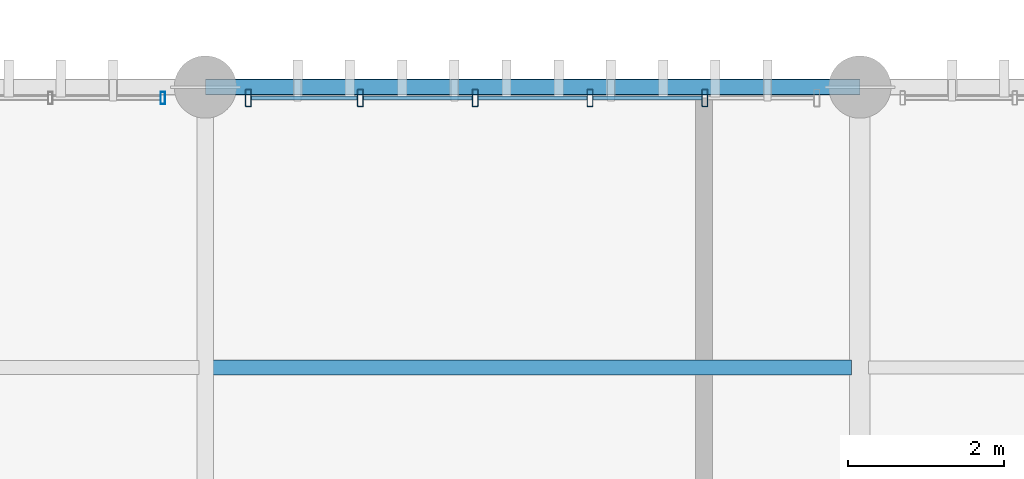
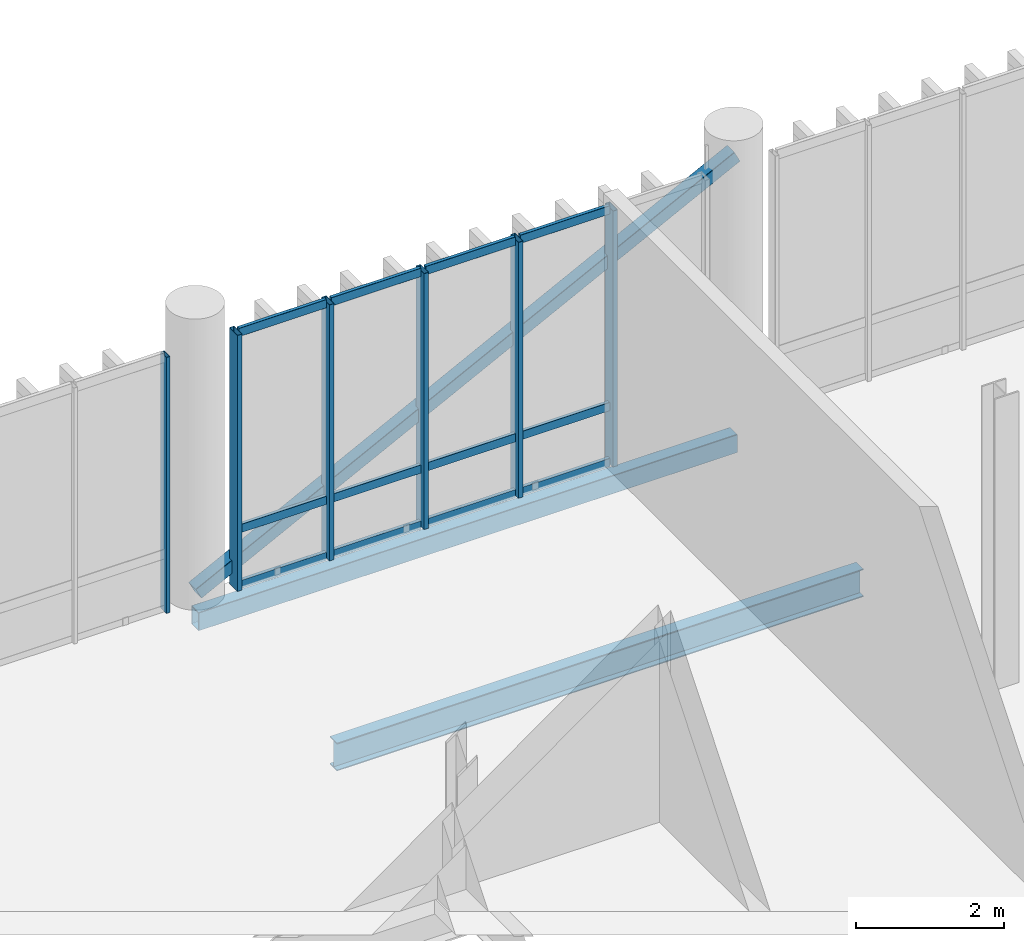
# One storey, part 35 of 94: 19 members, 2 beams, 2 elements without a shape of their own.
"""IFC4 building model written with IfcOpenShell, lengths in metres."""

import ifcopenshell
import ifcopenshell.guid

model = None  # the IFC model being written
_history = None  # IfcOwnerHistory: only IFC2X3 demands one
_inside = {}  # id of a spatial element -> (the spatial element, [elements in it])
_under = {}  # id of a project, library or spatial element -> (it, [spatial elements below it])
_declared = {}  # id of a project -> (the project, [libraries it declares])
_typed = {}  # id of a type object -> (the type object, [elements of that type])
_made_of = {}  # id of a material, layer set ... -> (it, [elements and type objects made of it])


def new_model(schema):
    """Start an empty IFC model of exactly this schema.

    Asked for "IFC4X3", IfcOpenShell would pick the latest addendum, in which some entities
    have other attributes; the version numbers below select the first issue.
    IFC2X3 requires an IfcOwnerHistory on every rooted entity: one is made here for all.
    """
    global model, _history
    if schema == "IFC4X3":
        model = ifcopenshell.file(schema_version=(4, 3, 0, 0))
    else:
        model = ifcopenshell.file(schema=schema)
    _inside.clear()
    _under.clear()
    _declared.clear()
    _typed.clear()
    _made_of.clear()
    _history = None
    if model.schema == "IFC2X3":
        org = make("IfcOrganization", Name="unknown")
        user = make(
            "IfcPersonAndOrganization",
            ThePerson=make("IfcPerson", FamilyName="unknown"),
            TheOrganization=org,
        )
        app = make(
            "IfcApplication",
            ApplicationDeveloper=org,
            Version="unknown",
            ApplicationFullName="unknown",
            ApplicationIdentifier="unknown",
        )
        _history = make(
            "IfcOwnerHistory",
            OwningUser=user,
            OwningApplication=app,
            ChangeAction="ADDED",
            CreationDate=0,
        )
    return model


def make(cls, **values):
    """One entity of the class cls with the attributes given. An attribute that is None is left unset."""
    return model.create_entity(
        cls, **{name: value for name, value in values.items() if value is not None}
    )


def rooted(cls, **values):
    """An entity with a GlobalId (a new one), such as an element, a storey or a relation."""
    return make(cls, GlobalId=ifcopenshell.guid.new(), OwnerHistory=_history, **values)


def si_unit(unit_type, name, prefix=None):
    """IfcSIUnit, for example si_unit("LENGTHUNIT", "METRE", prefix="MILLI")."""
    return make("IfcSIUnit", UnitType=unit_type, Prefix=prefix, Name=name)


def assignment(units):
    """IfcUnitAssignment: the units of a project."""
    return None if units is None else make("IfcUnitAssignment", Units=units)


def point(xyz):
    """IfcCartesianPoint."""
    return None if xyz is None else make("IfcCartesianPoint", Coordinates=xyz)


def direction(xyz):
    """IfcDirection."""
    return None if xyz is None else make("IfcDirection", DirectionRatios=xyz)


def frame(location, z_axis=None, x_axis=None):
    """IfcAxis2Placement3D, a coordinate frame: its origin and axes. An axis left out is left unset."""
    return make(
        "IfcAxis2Placement3D",
        Location=point(location),
        Axis=direction(z_axis),
        RefDirection=direction(x_axis),
    )


def frame_2d(location, x_axis=None):
    """IfcAxis2Placement2D, a coordinate frame in the plane: its origin and x axis."""
    return make(
        "IfcAxis2Placement2D", Location=point(location), RefDirection=direction(x_axis)
    )


def origin_with_axes():
    """The frame at (0, 0, 0) with the z axis (0, 0, 1) and the x axis (1, 0, 0) written out."""
    return frame((0.0, 0.0, 0.0), z_axis=(0.0, 0.0, 1.0), x_axis=(1.0, 0.0, 0.0))


def origin_2d_with_axis():
    """The frame at (0, 0) in the plane with the x axis (1, 0) written out."""
    return frame_2d((0.0, 0.0), x_axis=(1.0, 0.0))


def place(relative_to, where):
    """IfcLocalPlacement: puts the frame where relative to a parent placement (None: the world)."""
    return make(
        "IfcLocalPlacement", PlacementRelTo=relative_to, RelativePlacement=where
    )


def context(
    kind, dimensions, precision=None, world=None, true_north=None, identifier=None
):
    """IfcGeometricRepresentationContext, for example the 3D "Model" context."""
    return make(
        "IfcGeometricRepresentationContext",
        ContextIdentifier=identifier,
        ContextType=kind,
        CoordinateSpaceDimension=dimensions,
        Precision=precision,
        WorldCoordinateSystem=world,
        TrueNorth=true_north,
    )


def subcontext(parent, identifier, kind, view, scale=None):
    """IfcGeometricRepresentationSubContext, for example "Body" below "Model"."""
    return make(
        "IfcGeometricRepresentationSubContext",
        ContextIdentifier=identifier,
        ContextType=kind,
        ParentContext=parent,
        TargetScale=scale,
        TargetView=view,
    )


def project(units=None, contexts=None):
    """IfcProject with its units and contexts."""
    return rooted(
        "IfcProject",
        Name="project",
        RepresentationContexts=contexts,
        UnitsInContext=assignment(units),
    )


def spatial(cls, under=None, at=None, **own):
    """A site, building, storey or space (cls), placed at a placement, below another one or the project."""
    s = rooted(cls, ObjectPlacement=at, **own)
    if under is not None:
        _under.setdefault(under.id(), (under, []))[1].append(s)
    return s


def profile(cls, at=None, kind="AREA", **sizes):
    """A parametric profile (cls). Its sizes go by their IFC names, for example OverallWidth=200.0."""
    return make(cls, ProfileType=kind, Position=at, **sizes)


def hollow_rectangle(**sizes):
    """IfcRectangleHollowProfileDef."""
    return profile("IfcRectangleHollowProfileDef", **sizes)


def i_section(**sizes):
    """IfcIShapeProfileDef."""
    return profile("IfcIShapeProfileDef", **sizes)


def extrude(swept, where, along, depth):
    """IfcExtrudedAreaSolid: the profile swept, set in the frame where, extruded along a direction by depth."""
    return make(
        "IfcExtrudedAreaSolid",
        SweptArea=swept,
        Position=where,
        ExtrudedDirection=direction(along),
        Depth=depth,
    )


def shape(context_of_items, identifier, shape_type, items):
    """IfcShapeRepresentation: the items that make up one representation, for example the "Body"."""
    return make(
        "IfcShapeRepresentation",
        ContextOfItems=context_of_items,
        RepresentationIdentifier=identifier,
        RepresentationType=shape_type,
        Items=items,
    )


def material(Name=None, Category=None):
    """IfcMaterial."""
    return make("IfcMaterial", Name=Name, Category=Category)


def material_profile(
    of_material, cross_section, Name=None, Category=None, Priority=None
):
    """IfcMaterialProfile: a cross section and its material."""
    return make(
        "IfcMaterialProfile",
        Name=Name,
        Material=of_material,
        Profile=cross_section,
        Priority=Priority,
        Category=Category,
    )


def profile_set(profiles, Name=None, composite=None):
    """IfcMaterialProfileSet."""
    return make(
        "IfcMaterialProfileSet",
        Name=Name,
        MaterialProfiles=profiles,
        CompositeProfile=composite,
    )


def made_of(thing, what):
    """Note that an element or type object is made of a material, layer set ...; save() writes the relation."""
    if what is not None:
        _made_of.setdefault(what.id(), (what, []))[1].append(thing)
    return thing


def type_object(cls, material=None, **own):
    """A type object (cls), such as IfcWallType, which elements share."""
    return made_of(rooted(cls, **own), material)


def element(
    cls,
    number,
    at=None,
    inside=None,
    cuts=None,
    type_object=None,
    material=None,
    context=None,
    identifier="Body",
    shape_type=None,
    held_by="IfcProductDefinitionShape",
    body=None,
    shapes=None,
    **own,
):
    """One element of the class cls, such as IfcWall. Its Tag is "e" and its number.

    at: its placement. inside: the storey or other place that contains it. cuts: it is an
    opening in that element (IfcRelVoidsElement). A single representation is given by context,
    identifier, shape_type and body (its items); several are given by shapes. held_by: the class
    of the entity that holds the representations. save() writes the other relations.
    """
    e = rooted(cls, Tag="e%d" % number, ObjectPlacement=at, **own)
    if body is not None:
        shapes = [shape(context, identifier, shape_type, body)]
    if shapes is not None:
        e.Representation = make(held_by, Representations=shapes)
    if inside is not None:
        _inside.setdefault(inside.id(), (inside, []))[1].append(e)
    if cuts is not None:
        rooted(
            "IfcRelVoidsElement", RelatingBuildingElement=cuts, RelatedOpeningElement=e
        )
    if type_object is not None:
        _typed.setdefault(type_object.id(), (type_object, []))[1].append(e)
    return made_of(e, material)


def aggregate(whole, parts):
    """IfcRelAggregates: a whole, such as a stair, and the parts it consists of."""
    return rooted("IfcRelAggregates", RelatingObject=whole, RelatedObjects=parts)


def save(model, path):
    """Write the relations noted so far, then the file.

    IfcRelAggregates (storeys below a building ...), IfcRelContainedInSpatialStructure (elements
    in a storey), IfcRelDefinesByType, IfcRelAssociatesMaterial and IfcRelDeclares: one each for
    every whole, place, type object, material and project.
    """
    for whole, parts in _under.values():
        aggregate(whole, parts)
    for where, things in _inside.values():
        rooted(
            "IfcRelContainedInSpatialStructure",
            RelatedElements=things,
            RelatingStructure=where,
        )
    for kind, things in _typed.values():
        rooted("IfcRelDefinesByType", RelatedObjects=things, RelatingType=kind)
    for what, things in _made_of.values():
        rooted("IfcRelAssociatesMaterial", RelatedObjects=things, RelatingMaterial=what)
    for by, libraries in _declared.values():
        rooted("IfcRelDeclares", RelatingContext=by, RelatedDefinitions=libraries)
    model.write(path)


model = new_model("IFC4")

# Units and contexts
model_context = context("Model", 3, precision=1e-05, world=origin_with_axes(), true_north=direction((0.0, 1.0)))
body_context = subcontext(model_context, "Body", "Model", "MODEL_VIEW")
ifc_project = project(units=[si_unit("LENGTHUNIT", "METRE"), si_unit("AREAUNIT", "SQUARE_METRE"), si_unit("VOLUMEUNIT", "CUBIC_METRE"), si_unit("PLANEANGLEUNIT", "RADIAN"), si_unit("MASSUNIT", "GRAM", prefix="KILO"), si_unit("THERMODYNAMICTEMPERATUREUNIT", "KELVIN")], contexts=[model_context])

# Site, building, storey
site_placement = place(None, origin_with_axes())
site = spatial("IfcSite", under=ifc_project, at=site_placement, CompositionType="ELEMENT")
building_placement = place(site_placement, origin_with_axes())
building = spatial("IfcBuilding", under=site, at=building_placement, Name="Montbau Bow Law Courts", CompositionType="ELEMENT")
storey_placement = place(building_placement, frame((0.0, 0.0, 15.6), z_axis=(0.0, 0.0, 1.0), x_axis=(1.0, 0.0, 0.0)))
storey = spatial("IfcBuildingStorey", under=building, at=storey_placement, Name="L03", CompositionType="ELEMENT", Elevation=15.6)

# Beams
ifc_material_1 = material(Name="Steel CSA G40.21 Grade 350W (350 MPa)", Category="steel")
ifc_material_profile_1 = material_profile(ifc_material_1, i_section(OverallWidth=0.191, OverallDepth=0.46, WebThickness=0.0099, FlangeThickness=0.016, at=origin_2d_with_axis()), Name="W460X82", Category="Main", Priority=0)
ifc_profile_set_1 = profile_set([ifc_material_profile_1], Name="Steel CSA G40.21 Grade 350W (350 MPa)")
beam_type_1 = type_object("IfcBeamType", Name="B-JST-01", PredefinedType="JOIST", material=ifc_profile_set_1)
beam_1_placement = place(None, frame((63.681, 58.2, 15.11), z_axis=(1.0, 0.0, 0.0), x_axis=(0.0, 1.0, 0.0)))
element("IfcBeam", 1, at=beam_1_placement, inside=storey, type_object=beam_type_1, Name="JST-L03-S0464:jst2_0464", PredefinedType="JOIST", context=body_context, shape_type="SweptSolid", body=[
    extrude(i_section(OverallWidth=0.191, OverallDepth=0.46, WebThickness=0.0099, FlangeThickness=0.016, at=origin_2d_with_axis()), origin_with_axes(), (0.0, 0.0, 1.0), 8.21),
])
ifc_material_2 = material(Name="Steel CSA G40.21 Grade 350WT (350 MPa)", Category="steel")
ifc_material_profile_2 = material_profile(ifc_material_2, hollow_rectangle(XDim=0.203, YDim=0.305, WallThickness=0.0127, InnerFilletRadius=0.0254, OuterFilletRadius=0.0127, at=origin_2d_with_axis()), Name="HSS305X203X13", Category="Main", Priority=0)
ifc_profile_set_2 = profile_set([ifc_material_profile_2], Name="Steel CSA G40.21 Grade 350WT (350 MPa)")
beam_type_2 = type_object("IfcBeamType", Name="B-SPN-02", PredefinedType="SPANDREL", material=ifc_profile_set_2)
beam_2_placement = place(None, frame((63.6, 61.8, 15.188), z_axis=(1.0, 0.0, 0.0), x_axis=(0.0, 1.0, 0.0)))
element("IfcBeam", 2, at=beam_2_placement, inside=storey, type_object=beam_type_2, Name="SPN-L03-S0894:bm2_0897", PredefinedType="SPANDREL", context=body_context, shape_type="SweptSolid", body=[
    extrude(hollow_rectangle(XDim=0.203, YDim=0.305, WallThickness=0.0127, InnerFilletRadius=0.0254, OuterFilletRadius=0.0127, at=origin_2d_with_axis()), origin_with_axes(), (0.0, 0.0, 1.0), 8.4),
])

# Member
ifc_material_profile_3 = material_profile(ifc_material_1, hollow_rectangle(XDim=0.203, YDim=0.203, WallThickness=0.0111, InnerFilletRadius=0.0222, OuterFilletRadius=0.0111, at=origin_2d_with_axis()), Name="HSS203X203X11", Category="Main", Priority=0)
ifc_profile_set_3 = profile_set([ifc_material_profile_3], Name="Steel CSA G40.21 Grade 350W (350 MPa)")
member_type_1 = type_object("IfcMemberType", Name="M-BRC-02", PredefinedType="BRACE", material=ifc_profile_set_3)
member_1_placement = place(None, frame((63.6, 61.8, 15.65), z_axis=(0.891564583, 0.0, 0.45289358), x_axis=(0.0, 1.0, 0.0)))
element("IfcMember", 3, at=member_1_placement, inside=storey, type_object=member_type_1, Name="Diagonal brace CBF-L03-057A", PredefinedType="BRACE", context=body_context, shape_type="SweptSolid", body=[
    extrude(hollow_rectangle(XDim=0.203, YDim=0.203, WallThickness=0.0111, InnerFilletRadius=0.0222, OuterFilletRadius=0.0111, at=origin_2d_with_axis()), origin_with_axes(), (0.0, 0.0, 1.0), 9.421639),
])

# Curtain wall, members
ifc_material_3 = material(Name="Thermally Broken Extruded Aluminium AA 6063-T6", Category="aluminium")
curtain_wall_type = type_object("IfcCurtainWallType", Name="CW-CRM-01", PredefinedType="NOTDEFINED", material=ifc_material_3)
curtain_wall_1_placement = place(None, frame((64.115, 61.66, 15.6), z_axis=(0.0, 0.0, 1.0), x_axis=(1.0, 0.0, 0.0)))
curtain_wall_1 = element("IfcCurtainWall", 4, at=curtain_wall_1_placement, inside=storey, type_object=curtain_wall_type, Name="CW-L03-183:cw_0183", PredefinedType="NOTDEFINED")
ifc_material_profile_4 = material_profile(ifc_material_3, hollow_rectangle(XDim=0.075, YDim=0.22, WallThickness=0.005, InnerFilletRadius=0.01, OuterFilletRadius=0.005, at=origin_2d_with_axis()), Name="CWM-220X75", Category="Main", Priority=0)
ifc_profile_set_4 = profile_set([ifc_material_profile_4], Name="Thermally Broken Extruded Aluminium AA 6063-T6")
member_type_2 = type_object("IfcMemberType", Name="M-MUL-01", PredefinedType="MULLION", material=ifc_profile_set_4)
member_2_placement = place(None, frame((64.152, 61.66, 15.6), z_axis=(0.0, 0.0, 1.0), x_axis=(1.0, 0.0, 0.0)))
member_2 = element("IfcMember", 5, at=member_2_placement, type_object=member_type_2, Name="CW-L03-183-M01:cw_0183_M01", PredefinedType="MULLION", context=body_context, shape_type="SweptSolid", body=[
    extrude(hollow_rectangle(XDim=0.075, YDim=0.22, WallThickness=0.005, InnerFilletRadius=0.01, OuterFilletRadius=0.005, at=origin_2d_with_axis()), origin_with_axes(), (0.0, 0.0, 1.0), 4.22),
])
member_3_placement = place(None, frame((65.589, 61.66, 15.6), z_axis=(0.0, 0.0, 1.0), x_axis=(1.0, 0.0, 0.0)))
member_3 = element("IfcMember", 6, at=member_3_placement, type_object=member_type_2, Name="CW-L03-183-M02:cw_0183_M02", PredefinedType="MULLION", context=body_context, shape_type="SweptSolid", body=[
    extrude(hollow_rectangle(XDim=0.075, YDim=0.22, WallThickness=0.005, InnerFilletRadius=0.01, OuterFilletRadius=0.005, at=origin_2d_with_axis()), origin_with_axes(), (0.0, 0.0, 1.0), 4.22),
])
member_4_placement = place(None, frame((67.063, 61.66, 15.6), z_axis=(0.0, 0.0, 1.0), x_axis=(1.0, 0.0, 0.0)))
member_4 = element("IfcMember", 7, at=member_4_placement, type_object=member_type_2, Name="CW-L03-183-M03:cw_0183_M03", PredefinedType="MULLION", context=body_context, shape_type="SweptSolid", body=[
    extrude(hollow_rectangle(XDim=0.075, YDim=0.22, WallThickness=0.005, InnerFilletRadius=0.01, OuterFilletRadius=0.005, at=origin_2d_with_axis()), origin_with_axes(), (0.0, 0.0, 1.0), 4.22),
])
member_5_placement = place(None, frame((68.537, 61.66, 15.6), z_axis=(0.0, 0.0, 1.0), x_axis=(1.0, 0.0, 0.0)))
member_5 = element("IfcMember", 8, at=member_5_placement, type_object=member_type_2, Name="CW-L03-183-M04:cw_0183_M04", PredefinedType="MULLION", context=body_context, shape_type="SweptSolid", body=[
    extrude(hollow_rectangle(XDim=0.075, YDim=0.22, WallThickness=0.005, InnerFilletRadius=0.01, OuterFilletRadius=0.005, at=origin_2d_with_axis()), origin_with_axes(), (0.0, 0.0, 1.0), 4.22),
])
member_6_placement = place(None, frame((70.011, 61.66, 15.6), z_axis=(0.0, 0.0, 1.0), x_axis=(1.0, 0.0, 0.0)))
member_6 = element("IfcMember", 9, at=member_6_placement, type_object=member_type_2, Name="CW-L03-183-M05:cw_0183_M05", PredefinedType="MULLION", context=body_context, shape_type="SweptSolid", body=[
    extrude(hollow_rectangle(XDim=0.075, YDim=0.22, WallThickness=0.005, InnerFilletRadius=0.01, OuterFilletRadius=0.005, at=origin_2d_with_axis()), origin_with_axes(), (0.0, 0.0, 1.0), 4.22),
])

# Curtain wall, member
curtain_wall_2_placement = place(None, frame((55.715, 61.66, 15.6), z_axis=(0.0, 0.0, 1.0), x_axis=(1.0, 0.0, 0.0)))
curtain_wall_2 = element("IfcCurtainWall", 10, at=curtain_wall_2_placement, inside=storey, type_object=curtain_wall_type, Name="CW-L03-182:cw_0182", PredefinedType="NOTDEFINED")
ifc_material_profile_5 = material_profile(ifc_material_3, hollow_rectangle(XDim=0.06, YDim=0.16, WallThickness=0.004, InnerFilletRadius=0.008, OuterFilletRadius=0.004, at=origin_2d_with_axis()), Name="CWM-160X60", Category="Main", Priority=0)
ifc_profile_set_5 = profile_set([ifc_material_profile_5], Name="Thermally Broken Extruded Aluminium AA 6063-T6")
member_type_3 = type_object("IfcMemberType", Name="M-MUL-03", PredefinedType="MULLION", material=ifc_profile_set_5)
member_7_placement = place(None, frame((63.055, 61.66, 15.6), z_axis=(0.0, 0.0, 1.0), x_axis=(1.0, 0.0, 0.0)))
member_7 = element("IfcMember", 11, at=member_7_placement, type_object=member_type_3, Name="CW-L03-182-M06:cw_0182_M06", PredefinedType="MULLION", context=body_context, shape_type="SweptSolid", body=[
    extrude(hollow_rectangle(XDim=0.06, YDim=0.16, WallThickness=0.004, InnerFilletRadius=0.008, OuterFilletRadius=0.004, at=origin_2d_with_axis()), origin_with_axes(), (0.0, 0.0, 1.0), 4.22),
])
aggregate(curtain_wall_2, [member_7])

# Member
ifc_material_profile_6 = material_profile(ifc_material_3, hollow_rectangle(XDim=0.055, YDim=0.14, WallThickness=0.004, InnerFilletRadius=0.008, OuterFilletRadius=0.004, at=origin_2d_with_axis()), Name="CWT-140X55", Category="Main", Priority=0)
ifc_profile_set_6 = profile_set([ifc_material_profile_6], Name="Thermally Broken Extruded Aluminium AA 6063-T6")
member_type_4 = type_object("IfcMemberType", Name="M-TRN-02", PredefinedType="USERDEFINED", material=ifc_profile_set_6)
member_8_placement = place(None, frame((64.191, 61.66, 15.627), z_axis=(1.0, 0.0, 0.0), x_axis=(0.0, 1.0, 0.0)))
member_8 = element("IfcMember", 12, at=member_8_placement, type_object=member_type_4, Name="CW-L03-183-T01-1:cw_0183_T01_1", ObjectType="TRANSOM", PredefinedType="USERDEFINED", context=body_context, shape_type="SweptSolid", body=[
    extrude(hollow_rectangle(XDim=0.055, YDim=0.14, WallThickness=0.004, InnerFilletRadius=0.008, OuterFilletRadius=0.004, at=origin_2d_with_axis()), origin_with_axes(), (0.0, 0.0, 1.0), 1.358),
])

member_9_placement = place(None, frame((64.191, 61.66, 16.55), z_axis=(1.0, 0.0, 0.0), x_axis=(0.0, 1.0, 0.0)))
member_9 = element("IfcMember", 13, at=member_9_placement, type_object=member_type_4, Name="CW-L03-183-T01-2:cw_0183_T01_2", ObjectType="TRANSOM", PredefinedType="USERDEFINED", context=body_context, shape_type="SweptSolid", body=[
    extrude(hollow_rectangle(XDim=0.055, YDim=0.14, WallThickness=0.004, InnerFilletRadius=0.008, OuterFilletRadius=0.004, at=origin_2d_with_axis()), origin_with_axes(), (0.0, 0.0, 1.0), 1.358),
])

member_10_placement = place(None, frame((64.191, 61.66, 19.793), z_axis=(1.0, 0.0, 0.0), x_axis=(0.0, 1.0, 0.0)))
member_10 = element("IfcMember", 14, at=member_10_placement, type_object=member_type_4, Name="CW-L03-183-T01-3:cw_0183_T01_3", ObjectType="TRANSOM", PredefinedType="USERDEFINED", context=body_context, shape_type="SweptSolid", body=[
    extrude(hollow_rectangle(XDim=0.055, YDim=0.14, WallThickness=0.004, InnerFilletRadius=0.008, OuterFilletRadius=0.004, at=origin_2d_with_axis()), origin_with_axes(), (0.0, 0.0, 1.0), 1.358),
])

member_11_placement = place(None, frame((65.629, 61.66, 15.627), z_axis=(1.0, 0.0, 0.0), x_axis=(0.0, 1.0, 0.0)))
member_11 = element("IfcMember", 15, at=member_11_placement, type_object=member_type_4, Name="CW-L03-183-T02-1:cw_0183_T02_1", ObjectType="TRANSOM", PredefinedType="USERDEFINED", context=body_context, shape_type="SweptSolid", body=[
    extrude(hollow_rectangle(XDim=0.055, YDim=0.14, WallThickness=0.004, InnerFilletRadius=0.008, OuterFilletRadius=0.004, at=origin_2d_with_axis()), origin_with_axes(), (0.0, 0.0, 1.0), 1.395),
])

member_12_placement = place(None, frame((65.629, 61.66, 16.55), z_axis=(1.0, 0.0, 0.0), x_axis=(0.0, 1.0, 0.0)))
member_12 = element("IfcMember", 16, at=member_12_placement, type_object=member_type_4, Name="CW-L03-183-T02-2:cw_0183_T02_2", ObjectType="TRANSOM", PredefinedType="USERDEFINED", context=body_context, shape_type="SweptSolid", body=[
    extrude(hollow_rectangle(XDim=0.055, YDim=0.14, WallThickness=0.004, InnerFilletRadius=0.008, OuterFilletRadius=0.004, at=origin_2d_with_axis()), origin_with_axes(), (0.0, 0.0, 1.0), 1.395),
])

member_13_placement = place(None, frame((65.629, 61.66, 19.793), z_axis=(1.0, 0.0, 0.0), x_axis=(0.0, 1.0, 0.0)))
member_13 = element("IfcMember", 17, at=member_13_placement, type_object=member_type_4, Name="CW-L03-183-T02-3:cw_0183_T02_3", ObjectType="TRANSOM", PredefinedType="USERDEFINED", context=body_context, shape_type="SweptSolid", body=[
    extrude(hollow_rectangle(XDim=0.055, YDim=0.14, WallThickness=0.004, InnerFilletRadius=0.008, OuterFilletRadius=0.004, at=origin_2d_with_axis()), origin_with_axes(), (0.0, 0.0, 1.0), 1.395),
])

member_14_placement = place(None, frame((67.102, 61.66, 15.627), z_axis=(1.0, 0.0, 0.0), x_axis=(0.0, 1.0, 0.0)))
member_14 = element("IfcMember", 18, at=member_14_placement, type_object=member_type_4, Name="CW-L03-183-T03-1:cw_0183_T03_1", ObjectType="TRANSOM", PredefinedType="USERDEFINED", context=body_context, shape_type="SweptSolid", body=[
    extrude(hollow_rectangle(XDim=0.055, YDim=0.14, WallThickness=0.004, InnerFilletRadius=0.008, OuterFilletRadius=0.004, at=origin_2d_with_axis()), origin_with_axes(), (0.0, 0.0, 1.0), 1.396),
])

member_15_placement = place(None, frame((67.102, 61.66, 16.55), z_axis=(1.0, 0.0, 0.0), x_axis=(0.0, 1.0, 0.0)))
member_15 = element("IfcMember", 19, at=member_15_placement, type_object=member_type_4, Name="CW-L03-183-T03-2:cw_0183_T03_2", ObjectType="TRANSOM", PredefinedType="USERDEFINED", context=body_context, shape_type="SweptSolid", body=[
    extrude(hollow_rectangle(XDim=0.055, YDim=0.14, WallThickness=0.004, InnerFilletRadius=0.008, OuterFilletRadius=0.004, at=origin_2d_with_axis()), origin_with_axes(), (0.0, 0.0, 1.0), 1.396),
])

member_16_placement = place(None, frame((67.102, 61.66, 19.793), z_axis=(1.0, 0.0, 0.0), x_axis=(0.0, 1.0, 0.0)))
member_16 = element("IfcMember", 20, at=member_16_placement, type_object=member_type_4, Name="CW-L03-183-T03-3:cw_0183_T03_3", ObjectType="TRANSOM", PredefinedType="USERDEFINED", context=body_context, shape_type="SweptSolid", body=[
    extrude(hollow_rectangle(XDim=0.055, YDim=0.14, WallThickness=0.004, InnerFilletRadius=0.008, OuterFilletRadius=0.004, at=origin_2d_with_axis()), origin_with_axes(), (0.0, 0.0, 1.0), 1.396),
])

member_17_placement = place(None, frame((68.576, 61.66, 15.627), z_axis=(1.0, 0.0, 0.0), x_axis=(0.0, 1.0, 0.0)))
member_17 = element("IfcMember", 21, at=member_17_placement, type_object=member_type_4, Name="CW-L03-183-T04-1:cw_0183_T04_1", ObjectType="TRANSOM", PredefinedType="USERDEFINED", context=body_context, shape_type="SweptSolid", body=[
    extrude(hollow_rectangle(XDim=0.055, YDim=0.14, WallThickness=0.004, InnerFilletRadius=0.008, OuterFilletRadius=0.004, at=origin_2d_with_axis()), origin_with_axes(), (0.0, 0.0, 1.0), 1.396),
])

member_18_placement = place(None, frame((68.576, 61.66, 16.55), z_axis=(1.0, 0.0, 0.0), x_axis=(0.0, 1.0, 0.0)))
member_18 = element("IfcMember", 22, at=member_18_placement, type_object=member_type_4, Name="CW-L03-183-T04-2:cw_0183_T04_2", ObjectType="TRANSOM", PredefinedType="USERDEFINED", context=body_context, shape_type="SweptSolid", body=[
    extrude(hollow_rectangle(XDim=0.055, YDim=0.14, WallThickness=0.004, InnerFilletRadius=0.008, OuterFilletRadius=0.004, at=origin_2d_with_axis()), origin_with_axes(), (0.0, 0.0, 1.0), 1.396),
])

member_19_placement = place(None, frame((68.576, 61.66, 19.793), z_axis=(1.0, 0.0, 0.0), x_axis=(0.0, 1.0, 0.0)))
member_19 = element("IfcMember", 23, at=member_19_placement, type_object=member_type_4, Name="CW-L03-183-T04-3:cw_0183_T04_3", ObjectType="TRANSOM", PredefinedType="USERDEFINED", context=body_context, shape_type="SweptSolid", body=[
    extrude(hollow_rectangle(XDim=0.055, YDim=0.14, WallThickness=0.004, InnerFilletRadius=0.008, OuterFilletRadius=0.004, at=origin_2d_with_axis()), origin_with_axes(), (0.0, 0.0, 1.0), 1.396),
])

aggregate(curtain_wall_1, [member_2, member_3, member_4, member_5, member_6, member_8, member_9, member_10, member_11, member_12, member_13, member_14, member_15, member_16, member_17, member_18, member_19])

save(model, "model.ifc")
